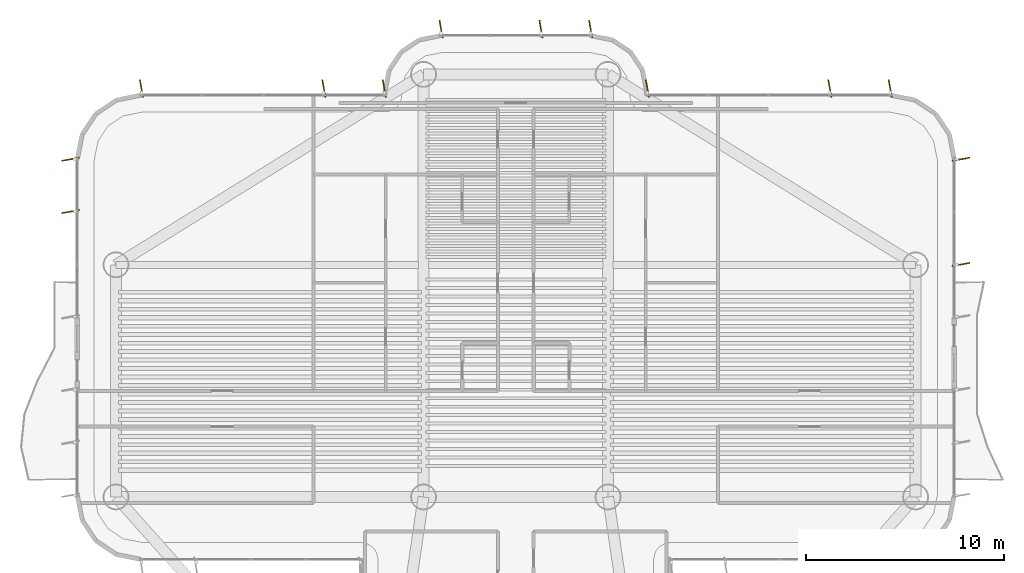
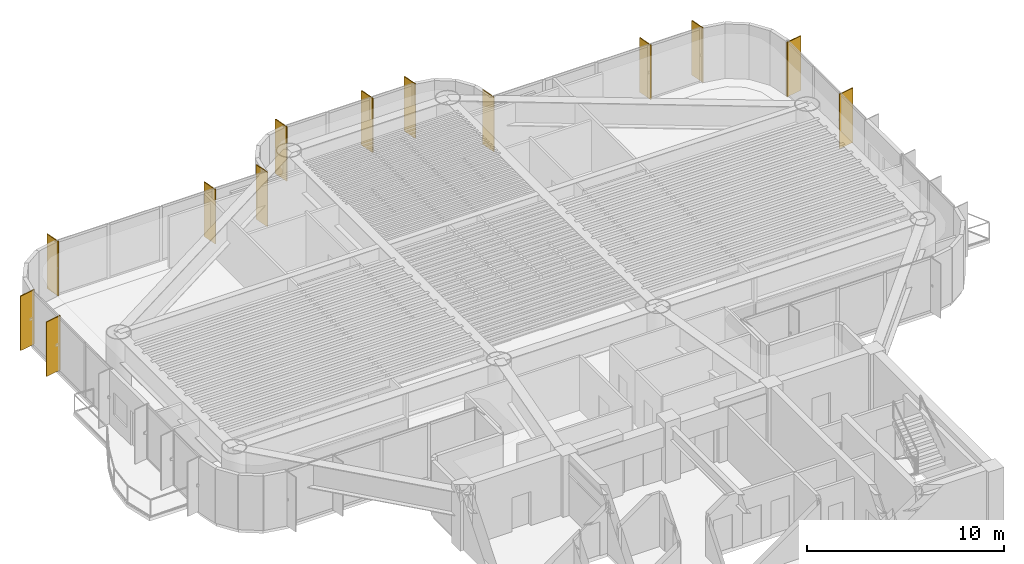
# One storey, part 15 of 15: 13 shading devices.
"""IFC4 building model written with IfcOpenShell, lengths in metres."""

from ifc_helpers import new_model, si_unit, direction, frame, origin, origin_2d, place, context, subcontext, project, spatial, rectangle, extrude, source, transform, mapped, material, material_profile, profile_set, type_object, element, save


model = new_model("IFC4")

# Units and contexts
model_context = context("Model", 3, precision=1e-05, world=origin(), true_north=direction((0.0, 1.0)))
body_context = subcontext(model_context, "Body", "Model", "MODEL_VIEW")
ifc_project = project(units=[si_unit("LENGTHUNIT", "METRE"), si_unit("AREAUNIT", "SQUARE_METRE"), si_unit("VOLUMEUNIT", "CUBIC_METRE"), si_unit("PLANEANGLEUNIT", "RADIAN"), si_unit("MASSUNIT", "GRAM", prefix="KILO")], contexts=[model_context])

# Site, building, storey
site_placement = place(None, origin())
site = spatial("IfcSite", under=ifc_project, at=site_placement, CompositionType="ELEMENT")
building_placement = place(site_placement, origin())
building = spatial("IfcBuilding", under=site, at=building_placement, Name="Brelvock Crest Care Tower", CompositionType="ELEMENT")
storey_placement = place(building_placement, frame((0.0, 0.0, 142.739990234375)))
storey = spatial("IfcBuildingStorey", under=building, at=storey_placement, Name="L36", CompositionType="ELEMENT", Elevation=142.739990234375)

# Shading devices
ifc_material = material(Name="Aluminium 6063-T6", Category="aluminium")
ifc_material_profile = material_profile(ifc_material, rectangle(XDim=0.054931640625, YDim=0.89990234375, at=origin_2d()), Name="FIN55x900")
ifc_profile_set = profile_set([ifc_material_profile], Name="Aluminium 6063-T6")
shading_device_type = type_object("IfcShadingDeviceType", Name="SHD-FIN1", PredefinedType="USERDEFINED", material=ifc_profile_set)
shared_shape = source(origin(), body_context, "Body", "SweptSolid", [
    extrude(rectangle(XDim=0.054931640625, YDim=0.89990234375, at=origin_2d()), origin(), (0.0, 0.0, 1.0), 3.3720703125),
])
for number, where, z_axis, x_axis, name in (
    (1, (13.56005859375, 41.533203125, 0.0), (0.0, 0.0, 1.0), (-0.173648177667, 0.984807753012, 0.0), "L36 Vertical Sunshade Fin E17B-03"),
    (2, (13.56005859375, 44.169921875, 0.0), (0.0, 0.0, 1.0), (-0.173648177667, 0.984807753012, 0.0), "L36 Vertical Sunshade Fin E17B-04"),
    (3, (17.1298828125, 47.739990234375, 0.0), (0.0, 0.0, 1.0), (0.984807753012, 0.173648177667, 0.0), "L36 Vertical Sunshade Fin E22-01"),
    (4, (26.324951171875, 47.739990234375, 0.0), (0.0, 0.0, 1.0), (0.984807753012, 0.173648177667, 0.0), "L36 Vertical Sunshade Fin E22-04"),
    (5, (29.3701171875, 47.739990234375, 0.0), (0.0, 0.0, 1.0), (0.984807753012, 0.173648177667, 0.0), "L36 Vertical Sunshade Fin E22-05"),
    (6, (32.22998046875, 50.739990234375, 0.0), (0.0, 0.0, 1.0), (0.984807753012, 0.173648177667, 0.0), "L36 Vertical Sunshade Fin E28-01"),
    (7, (37.2666015625, 50.739990234375, 0.0), (0.0, 0.0, 1.0), (0.984807753012, 0.173648177667, 0.0), "L36 Vertical Sunshade Fin E28-03"),
    (8, (39.77001953125, 50.739990234375, 0.0), (0.0, 0.0, 1.0), (0.984807753012, 0.173648177667, 0.0), "L36 Vertical Sunshade Fin E28-04"),
    (9, (42.6298828125, 47.739990234375, 0.0), (0.0, 0.0, 1.0), (0.984807753012, 0.173648177667, 0.0), "L36 Vertical Sunshade Fin E34-01"),
    (10, (51.824951171875, 47.739990234375, 0.0), (0.0, 0.0, 1.0), (0.984807753012, 0.173648177667, 0.0), "L36 Vertical Sunshade Fin E34-04"),
    (11, (54.8701171875, 47.739990234375, 0.0), (0.0, 0.0, 1.0), (0.984807753012, 0.173648177667, 0.0), "L36 Vertical Sunshade Fin E34-05"),
    (12, (58.43994140625, 44.169921875, 0.0), (0.0, 0.0, 1.0), (0.173648177667, -0.984807753012, 0.0), "L36 Vertical Sunshade Fin E39A-01"),
    (13, (58.43994140625, 38.86669921875, 0.0), (0.0, 0.0, 1.0), (0.173648177667, -0.984807753012, 0.0), "L36 Vertical Sunshade Fin E39A-03"),
):
    element("IfcShadingDevice", number, at=place(storey_placement, frame(where, z_axis=z_axis, x_axis=x_axis)), inside=storey, type_object=shading_device_type, Name=name, ObjectType="FIN", PredefinedType="USERDEFINED", context=body_context, shape_type="MappedRepresentation", body=[
        mapped(shared_shape, transform((0.0, 0.0, 0.0), x_axis=(1.0, 0.0, 0.0), y_axis=(0.0, 1.0, 0.0), z_axis=(0.0, 0.0, 1.0), scale=1.0)),
    ])

save(model, "model.ifc")
